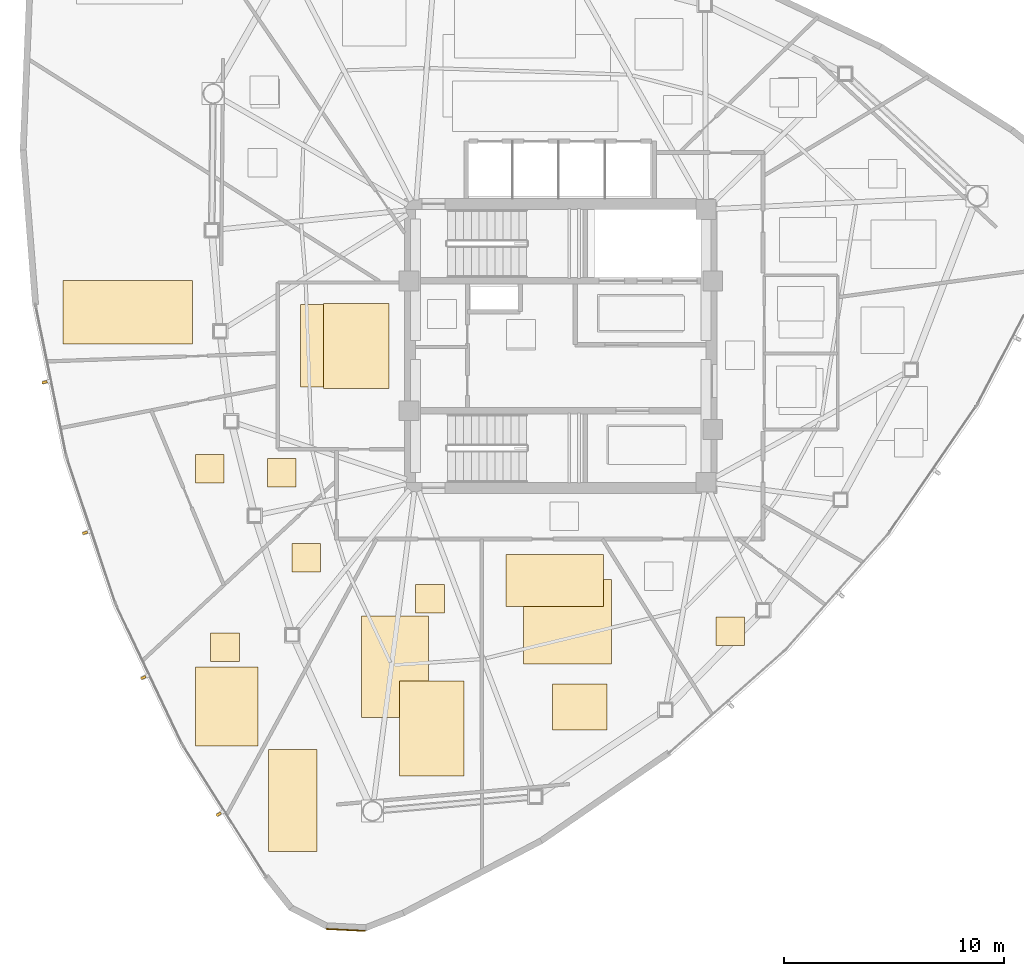
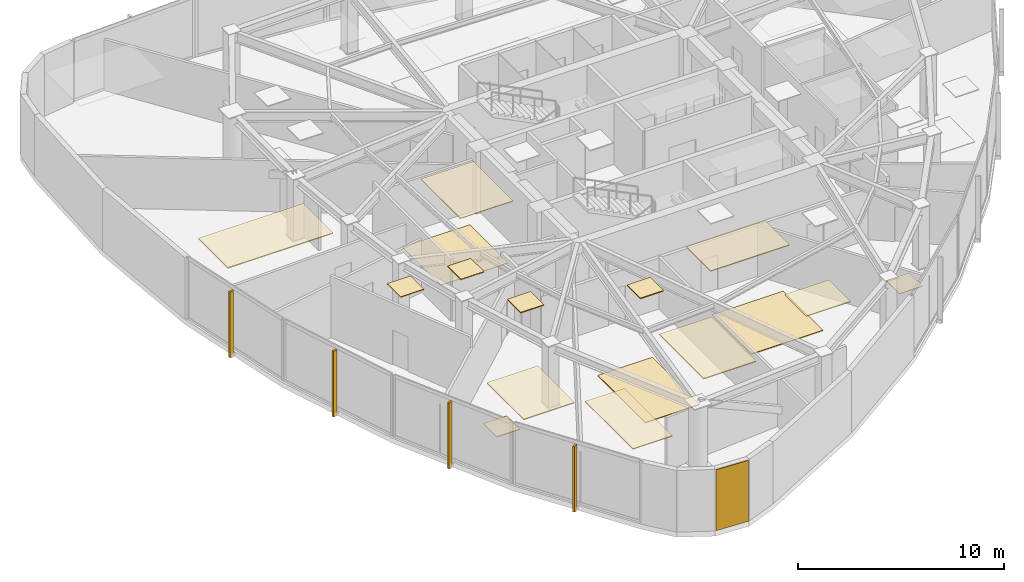
# One storey, part 13 of 15: 17 coverings, 4 shading devices.
"""IFC4 building model written with IfcOpenShell, lengths in metres."""

import ifcopenshell
import ifcopenshell.guid

model = None  # the IFC model being written
_history = None  # IfcOwnerHistory: only IFC2X3 demands one
_inside = {}  # id of a spatial element -> (the spatial element, [elements in it])
_under = {}  # id of a project, library or spatial element -> (it, [spatial elements below it])
_declared = {}  # id of a project -> (the project, [libraries it declares])
_typed = {}  # id of a type object -> (the type object, [elements of that type])
_made_of = {}  # id of a material, layer set ... -> (it, [elements and type objects made of it])


def new_model(schema):
    """Start an empty IFC model of exactly this schema.

    Asked for "IFC4X3", IfcOpenShell would pick the latest addendum, in which some entities
    have other attributes; the version numbers below select the first issue.
    IFC2X3 requires an IfcOwnerHistory on every rooted entity: one is made here for all.
    """
    global model, _history
    if schema == "IFC4X3":
        model = ifcopenshell.file(schema_version=(4, 3, 0, 0))
    else:
        model = ifcopenshell.file(schema=schema)
    _inside.clear()
    _under.clear()
    _declared.clear()
    _typed.clear()
    _made_of.clear()
    _history = None
    if model.schema == "IFC2X3":
        org = make("IfcOrganization", Name="unknown")
        user = make(
            "IfcPersonAndOrganization",
            ThePerson=make("IfcPerson", FamilyName="unknown"),
            TheOrganization=org,
        )
        app = make(
            "IfcApplication",
            ApplicationDeveloper=org,
            Version="unknown",
            ApplicationFullName="unknown",
            ApplicationIdentifier="unknown",
        )
        _history = make(
            "IfcOwnerHistory",
            OwningUser=user,
            OwningApplication=app,
            ChangeAction="ADDED",
            CreationDate=0,
        )
    return model


def make(cls, **values):
    """One entity of the class cls with the attributes given. An attribute that is None is left unset."""
    return model.create_entity(
        cls, **{name: value for name, value in values.items() if value is not None}
    )


def rooted(cls, **values):
    """An entity with a GlobalId (a new one), such as an element, a storey or a relation."""
    return make(cls, GlobalId=ifcopenshell.guid.new(), OwnerHistory=_history, **values)


def si_unit(unit_type, name, prefix=None):
    """IfcSIUnit, for example si_unit("LENGTHUNIT", "METRE", prefix="MILLI")."""
    return make("IfcSIUnit", UnitType=unit_type, Prefix=prefix, Name=name)


def assignment(units):
    """IfcUnitAssignment: the units of a project."""
    return None if units is None else make("IfcUnitAssignment", Units=units)


def point(xyz):
    """IfcCartesianPoint."""
    return None if xyz is None else make("IfcCartesianPoint", Coordinates=xyz)


def direction(xyz):
    """IfcDirection."""
    return None if xyz is None else make("IfcDirection", DirectionRatios=xyz)


def frame(location, z_axis=None, x_axis=None):
    """IfcAxis2Placement3D, a coordinate frame: its origin and axes. An axis left out is left unset."""
    return make(
        "IfcAxis2Placement3D",
        Location=point(location),
        Axis=direction(z_axis),
        RefDirection=direction(x_axis),
    )


def frame_2d(location, x_axis=None):
    """IfcAxis2Placement2D, a coordinate frame in the plane: its origin and x axis."""
    return make(
        "IfcAxis2Placement2D", Location=point(location), RefDirection=direction(x_axis)
    )


def origin():
    """The frame at (0, 0, 0) with its axes left unset."""
    return frame((0.0, 0.0, 0.0))


def origin_2d():
    """The frame at (0, 0) in the plane with its x axis left unset."""
    return frame_2d((0.0, 0.0))


def place(relative_to, where):
    """IfcLocalPlacement: puts the frame where relative to a parent placement (None: the world)."""
    return make(
        "IfcLocalPlacement", PlacementRelTo=relative_to, RelativePlacement=where
    )


def context(
    kind, dimensions, precision=None, world=None, true_north=None, identifier=None
):
    """IfcGeometricRepresentationContext, for example the 3D "Model" context."""
    return make(
        "IfcGeometricRepresentationContext",
        ContextIdentifier=identifier,
        ContextType=kind,
        CoordinateSpaceDimension=dimensions,
        Precision=precision,
        WorldCoordinateSystem=world,
        TrueNorth=true_north,
    )


def subcontext(parent, identifier, kind, view, scale=None):
    """IfcGeometricRepresentationSubContext, for example "Body" below "Model"."""
    return make(
        "IfcGeometricRepresentationSubContext",
        ContextIdentifier=identifier,
        ContextType=kind,
        ParentContext=parent,
        TargetScale=scale,
        TargetView=view,
    )


def project(units=None, contexts=None):
    """IfcProject with its units and contexts."""
    return rooted(
        "IfcProject",
        Name="project",
        RepresentationContexts=contexts,
        UnitsInContext=assignment(units),
    )


def spatial(cls, under=None, at=None, **own):
    """A site, building, storey or space (cls), placed at a placement, below another one or the project."""
    s = rooted(cls, ObjectPlacement=at, **own)
    if under is not None:
        _under.setdefault(under.id(), (under, []))[1].append(s)
    return s


def polyline(points):
    """IfcPolyline through the points."""
    return make("IfcPolyline", Points=[point(p) for p in points])


def profile(cls, at=None, kind="AREA", **sizes):
    """A parametric profile (cls). Its sizes go by their IFC names, for example OverallWidth=200.0."""
    return make(cls, ProfileType=kind, Position=at, **sizes)


def rectangle(**sizes):
    """IfcRectangleProfileDef."""
    return profile("IfcRectangleProfileDef", **sizes)


def outline(outer, holes=None, kind="AREA"):
    """IfcArbitraryClosedProfileDef: a profile drawn as a closed curve; with holes, ...WithVoids."""
    if holes is None:
        return make("IfcArbitraryClosedProfileDef", ProfileType=kind, OuterCurve=outer)
    return make(
        "IfcArbitraryProfileDefWithVoids",
        ProfileType=kind,
        OuterCurve=outer,
        InnerCurves=holes,
    )


def extrude(swept, where, along, depth):
    """IfcExtrudedAreaSolid: the profile swept, set in the frame where, extruded along a direction by depth."""
    return make(
        "IfcExtrudedAreaSolid",
        SweptArea=swept,
        Position=where,
        ExtrudedDirection=direction(along),
        Depth=depth,
    )


def shape(context_of_items, identifier, shape_type, items):
    """IfcShapeRepresentation: the items that make up one representation, for example the "Body"."""
    return make(
        "IfcShapeRepresentation",
        ContextOfItems=context_of_items,
        RepresentationIdentifier=identifier,
        RepresentationType=shape_type,
        Items=items,
    )


def source(mapping_origin, context_of_items, identifier, shape_type, items):
    """IfcRepresentationMap: a shape defined once, which mapped items show again and again."""
    return make(
        "IfcRepresentationMap",
        MappingOrigin=mapping_origin,
        MappedRepresentation=shape(context_of_items, identifier, shape_type, items),
    )


def transform(
    local_origin,
    x_axis=None,
    y_axis=None,
    z_axis=None,
    scale=None,
    scale2=None,
    scale3=None,
    uniform=True,
):
    """IfcCartesianTransformationOperator3D, or its non-uniform kind. x_axis, y_axis, z_axis: its Axis1, 2, 3."""
    if uniform:
        return make(
            "IfcCartesianTransformationOperator3D",
            Axis1=direction(x_axis),
            Axis2=direction(y_axis),
            LocalOrigin=point(local_origin),
            Scale=scale,
            Axis3=direction(z_axis),
        )
    return make(
        "IfcCartesianTransformationOperator3DnonUniform",
        Axis1=direction(x_axis),
        Axis2=direction(y_axis),
        LocalOrigin=point(local_origin),
        Scale=scale,
        Axis3=direction(z_axis),
        Scale2=scale2,
        Scale3=scale3,
    )


def mapped(mapping_source, mapping_target):
    """IfcMappedItem: shows the shape of a source again, moved by a transform."""
    return make(
        "IfcMappedItem", MappingSource=mapping_source, MappingTarget=mapping_target
    )


def material(Name=None, Category=None):
    """IfcMaterial."""
    return make("IfcMaterial", Name=Name, Category=Category)


def layer(
    of_material, thickness, ventilated=None, Name=None, Category=None, Priority=None
):
    """IfcMaterialLayer: one layer of a wall or slab, of a material (None: an air gap)."""
    return make(
        "IfcMaterialLayer",
        Material=of_material,
        LayerThickness=thickness,
        IsVentilated=ventilated,
        Name=Name,
        Category=Category,
        Priority=Priority,
    )


def layer_set(layers, Name=None):
    """IfcMaterialLayerSet."""
    return make("IfcMaterialLayerSet", MaterialLayers=layers, LayerSetName=Name)


def made_of(thing, what):
    """Note that an element or type object is made of a material, layer set ...; save() writes the relation."""
    if what is not None:
        _made_of.setdefault(what.id(), (what, []))[1].append(thing)
    return thing


def type_object(cls, material=None, **own):
    """A type object (cls), such as IfcWallType, which elements share."""
    return made_of(rooted(cls, **own), material)


def type_shapes(of_type, sources):
    """Give a type object the sources (RepresentationMaps) that its elements show as mapped items."""
    of_type.RepresentationMaps = sources


def element(
    cls,
    number,
    at=None,
    inside=None,
    cuts=None,
    type_object=None,
    material=None,
    context=None,
    identifier="Body",
    shape_type=None,
    held_by="IfcProductDefinitionShape",
    body=None,
    shapes=None,
    **own,
):
    """One element of the class cls, such as IfcWall. Its Tag is "e" and its number.

    at: its placement. inside: the storey or other place that contains it. cuts: it is an
    opening in that element (IfcRelVoidsElement). A single representation is given by context,
    identifier, shape_type and body (its items); several are given by shapes. held_by: the class
    of the entity that holds the representations. save() writes the other relations.
    """
    e = rooted(cls, Tag="e%d" % number, ObjectPlacement=at, **own)
    if body is not None:
        shapes = [shape(context, identifier, shape_type, body)]
    if shapes is not None:
        e.Representation = make(held_by, Representations=shapes)
    if inside is not None:
        _inside.setdefault(inside.id(), (inside, []))[1].append(e)
    if cuts is not None:
        rooted(
            "IfcRelVoidsElement", RelatingBuildingElement=cuts, RelatedOpeningElement=e
        )
    if type_object is not None:
        _typed.setdefault(type_object.id(), (type_object, []))[1].append(e)
    return made_of(e, material)


def aggregate(whole, parts):
    """IfcRelAggregates: a whole, such as a stair, and the parts it consists of."""
    return rooted("IfcRelAggregates", RelatingObject=whole, RelatedObjects=parts)


def save(model, path):
    """Write the relations noted so far, then the file.

    IfcRelAggregates (storeys below a building ...), IfcRelContainedInSpatialStructure (elements
    in a storey), IfcRelDefinesByType, IfcRelAssociatesMaterial and IfcRelDeclares: one each for
    every whole, place, type object, material and project.
    """
    for whole, parts in _under.values():
        aggregate(whole, parts)
    for where, things in _inside.values():
        rooted(
            "IfcRelContainedInSpatialStructure",
            RelatedElements=things,
            RelatingStructure=where,
        )
    for kind, things in _typed.values():
        rooted("IfcRelDefinesByType", RelatedObjects=things, RelatingType=kind)
    for what, things in _made_of.values():
        rooted("IfcRelAssociatesMaterial", RelatedObjects=things, RelatingMaterial=what)
    for by, libraries in _declared.values():
        rooted("IfcRelDeclares", RelatingContext=by, RelatedDefinitions=libraries)
    model.write(path)


model = new_model("IFC4")

# Units and contexts
model_context = context("Model", 3, precision=1e-05, world=origin(), true_north=direction((0.0, 1.0)))
body_context = subcontext(model_context, "Body", "Model", "MODEL_VIEW")
ifc_project = project(units=[si_unit("LENGTHUNIT", "METRE"), si_unit("AREAUNIT", "SQUARE_METRE"), si_unit("VOLUMEUNIT", "CUBIC_METRE"), si_unit("PLANEANGLEUNIT", "RADIAN"), si_unit("MASSUNIT", "GRAM", prefix="KILO")], contexts=[model_context])

# Site, building, storey
site_placement = place(None, origin())
site = spatial("IfcSite", under=ifc_project, at=site_placement, CompositionType="ELEMENT")
building_placement = place(site_placement, origin())
building = spatial("IfcBuilding", under=site, at=building_placement, Name="Tavelor Broadcast Tower", CompositionType="ELEMENT")
storey_placement = place(building_placement, frame((0.0, 0.0, 230.050048828125)))
storey = spatial("IfcBuildingStorey", under=building, at=storey_placement, Name="L54", CompositionType="ELEMENT", Elevation=230.050048828125)

# Coverings
ifc_material_1 = material(Name="Copper-Bronze Anodized Aluminium", Category="aluminium")
ifc_layer_1 = layer(ifc_material_1, 0.050048828125)
ifc_layer_set_1 = layer_set([ifc_layer_1], Name="Copper-Bronze Anodized Aluminium")
covering_type_1 = type_object("IfcCoveringType", Name="Champagne-Bronze Corner Pier Metal Cladding 50 mm", PredefinedType="CLADDING", material=ifc_layer_set_1)
covering_1_placement = place(storey_placement, frame((40.2294921875, 18.456298828125, 0.02001953125), z_axis=(0.0, 0.0, 1.0), x_axis=(0.998763127564, -0.049721373869, 0.0)))
element("IfcCovering", 1, at=covering_1_placement, inside=storey, type_object=covering_type_1, Name="L54 Champagne-Bronze Corner Cladding 13", PredefinedType="CLADDING", context=body_context, shape_type="SweptSolid", body=[
    extrude(rectangle(XDim=1.761474609375, YDim=0.050048828125, at=origin_2d()), origin(), (0.0, 0.0, 1.0), 3.610107421875),
])
ifc_material_2 = material(Name="Acoustic Nylon Carpet Tile")
ifc_layer_2 = layer(ifc_material_2, 0.02001953125)
ifc_layer_set_2 = layer_set([ifc_layer_2], Name="Acoustic Nylon Carpet Tile")
covering_type_2 = type_object("IfcCoveringType", Name="Heavy-Duty Acoustic Broadcast Carpet Tile 20 mm", PredefinedType="FLOORING", material=ifc_layer_set_2)
covering_2_placement = place(storey_placement, origin())
element("IfcCovering", 2, at=covering_2_placement, inside=storey, type_object=covering_type_2, Name="L54 Broadcast Floor Finish 0790", PredefinedType="FLOORING", context=body_context, shape_type="SweptSolid", body=[
    extrude(outline(polyline([(38.15771484375, 43.12890625), (41.942138671875, 43.12890625), (41.942138671875, 46.87060546875), (38.15771484375, 46.87060546875), (38.15771484375, 43.12890625)])), origin(), (0.0, 0.0, 1.0), 0.02001953125),
])
ifc_material_3 = material(Name="Acoustic Hardwood Studio Flooring", Category="wood")
ifc_layer_3 = layer(ifc_material_3, 0.034912109375)
ifc_layer_set_3 = layer_set([ifc_layer_3], Name="Acoustic Hardwood Studio Flooring")
covering_type_3 = type_object("IfcCoveringType", Name="Isolated Studio Acoustic Elastomeric Floor Finish 35 mm", PredefinedType="FLOORING", material=ifc_layer_set_3)
covering_3_placement = place(storey_placement, origin())
element("IfcCovering", 3, at=covering_3_placement, inside=storey, type_object=covering_type_3, Name="L54 Broadcast Floor Finish 0793", PredefinedType="FLOORING", context=body_context, shape_type="SweptSolid", body=[
    extrude(outline(polyline([(57.051025390625, 31.37255859375), (58.35107421875, 31.37255859375), (58.35107421875, 32.672607421875), (57.051025390625, 32.672607421875), (57.051025390625, 31.37255859375)])), origin(), (0.0, 0.0, 1.0), 0.034912109375),
])
covering_4_placement = place(storey_placement, origin())
element("IfcCovering", 4, at=covering_4_placement, inside=storey, type_object=covering_type_3, Name="L54 Broadcast Floor Finish 0794", PredefinedType="FLOORING", context=body_context, shape_type="SweptSolid", body=[
    extrude(outline(polyline([(48.294189453125, 30.550537109375), (52.29296875, 30.550537109375), (52.29296875, 34.385986328125), (48.294189453125, 34.385986328125), (48.294189453125, 30.550537109375)])), origin(), (0.0, 0.0, 1.0), 0.034912109375),
])
covering_5_placement = place(storey_placement, origin())
element("IfcCovering", 5, at=covering_5_placement, inside=storey, type_object=covering_type_3, Name="L54 Broadcast Floor Finish 0795", PredefinedType="FLOORING", context=body_context, shape_type="SweptSolid", body=[
    extrude(outline(polyline([(40.93408203125, 28.10791015625), (43.988037109375, 28.10791015625), (43.988037109375, 32.713134765625), (40.93408203125, 32.713134765625), (40.93408203125, 28.10791015625)])), origin(), (0.0, 0.0, 1.0), 0.034912109375),
])
covering_6_placement = place(storey_placement, origin())
element("IfcCovering", 6, at=covering_6_placement, inside=storey, type_object=covering_type_3, Name="L54 Broadcast Floor Finish 0796", PredefinedType="FLOORING", context=body_context, shape_type="SweptSolid", body=[
    extrude(outline(polyline([(34.09033203125, 30.656982421875), (35.390380859375, 30.656982421875), (35.390380859375, 31.956787109375), (34.09033203125, 31.956787109375), (34.09033203125, 30.656982421875)])), origin(), (0.0, 0.0, 1.0), 0.034912109375),
])
ifc_material_4 = material(Name="Acoustic Perforated Timber Baffle", Category="wood")
ifc_layer_4 = layer(ifc_material_4, 0.054931640625)
ifc_layer_set_4 = layer_set([ifc_layer_4], Name="Acoustic Perforated Timber Baffle")
covering_type_4 = type_object("IfcCoveringType", Name="Micro-Perforated Acoustic Baffle Studio Ceiling 55 mm", PredefinedType="CEILING", material=ifc_layer_set_4)
covering_7_placement = place(storey_placement, frame((0.0, 0.0, 3.594970703125)))
element("IfcCovering", 7, at=covering_7_placement, inside=storey, type_object=covering_type_4, Name="L54 Suspended Acoustic Ceiling 2143", PredefinedType="CEILING", context=body_context, shape_type="SweptSolid", body=[
    extrude(outline(polyline([(49.621337890625, 27.534423828125), (52.103271484375, 27.534423828125), (52.103271484375, 29.63330078125), (49.621337890625, 29.63330078125), (49.621337890625, 27.534423828125)])), origin(), (0.0, 0.0, 1.0), 0.054931640625),
])
covering_8_placement = place(storey_placement, frame((0.0, 0.0, 3.594970703125)))
element("IfcCovering", 8, at=covering_8_placement, inside=storey, type_object=covering_type_4, Name="L54 Suspended Acoustic Ceiling 2144", PredefinedType="CEILING", context=body_context, shape_type="SweptSolid", body=[
    extrude(outline(polyline([(47.50390625, 33.15478515625), (51.9296875, 33.15478515625), (51.9296875, 35.51416015625), (47.50390625, 35.51416015625), (47.50390625, 33.15478515625)])), origin(), (0.0, 0.0, 1.0), 0.054931640625),
])
covering_9_placement = place(storey_placement, frame((0.0, 0.0, 3.594970703125)))
element("IfcCovering", 9, at=covering_9_placement, inside=storey, type_object=covering_type_4, Name="L54 Suspended Acoustic Ceiling 2145", PredefinedType="CEILING", context=body_context, shape_type="SweptSolid", body=[
    extrude(outline(polyline([(36.724365234375, 22.013671875), (38.9296875, 22.013671875), (38.9296875, 26.647705078125), (36.724365234375, 26.647705078125), (36.724365234375, 22.013671875)])), origin(), (0.0, 0.0, 1.0), 0.054931640625),
])
covering_10_placement = place(storey_placement, frame((0.0, 0.0, 3.594970703125)))
element("IfcCovering", 10, at=covering_10_placement, inside=storey, type_object=covering_type_4, Name="L54 Suspended Acoustic Ceiling 2146", PredefinedType="CEILING", context=body_context, shape_type="SweptSolid", body=[
    extrude(outline(polyline([(43.405517578125, 32.857421875), (44.70556640625, 32.857421875), (44.70556640625, 34.157470703125), (43.405517578125, 34.157470703125), (43.405517578125, 32.857421875)])), origin(), (0.0, 0.0, 1.0), 0.054931640625),
])
covering_11_placement = place(storey_placement, frame((0.0, 0.0, 3.594970703125)))
element("IfcCovering", 11, at=covering_11_placement, inside=storey, type_object=covering_type_4, Name="L54 Suspended Acoustic Ceiling 2147", PredefinedType="CEILING", context=body_context, shape_type="SweptSolid", body=[
    extrude(outline(polyline([(42.672607421875, 25.443603515625), (45.606201171875, 25.443603515625), (45.606201171875, 29.771484375), (42.672607421875, 29.771484375), (42.672607421875, 25.443603515625)])), origin(), (0.0, 0.0, 1.0), 0.054931640625),
])
covering_12_placement = place(storey_placement, frame((0.0, 0.0, 3.594970703125)))
element("IfcCovering", 12, at=covering_12_placement, inside=storey, type_object=covering_type_4, Name="L54 Suspended Acoustic Ceiling 2148", PredefinedType="CEILING", context=body_context, shape_type="SweptSolid", body=[
    extrude(outline(polyline([(37.779541015625, 34.71630859375), (39.07958984375, 34.71630859375), (39.07958984375, 36.016357421875), (37.779541015625, 36.016357421875), (37.779541015625, 34.71630859375)])), origin(), (0.0, 0.0, 1.0), 0.054931640625),
])
covering_13_placement = place(storey_placement, frame((0.0, 0.0, 3.594970703125)))
element("IfcCovering", 13, at=covering_13_placement, inside=storey, type_object=covering_type_4, Name="L54 Suspended Acoustic Ceiling 2149", PredefinedType="CEILING", context=body_context, shape_type="SweptSolid", body=[
    extrude(outline(polyline([(33.38671875, 26.8251953125), (36.2412109375, 26.8251953125), (36.2412109375, 30.402587890625), (33.38671875, 30.402587890625), (33.38671875, 26.8251953125)])), origin(), (0.0, 0.0, 1.0), 0.054931640625),
])
covering_14_placement = place(storey_placement, frame((0.0, 0.0, 3.594970703125)))
element("IfcCovering", 14, at=covering_14_placement, inside=storey, type_object=covering_type_4, Name="L54 Suspended Acoustic Ceiling 2150", PredefinedType="CEILING", context=body_context, shape_type="SweptSolid", body=[
    extrude(outline(polyline([(27.370849609375, 45.09326171875), (33.26220703125, 45.09326171875), (33.26220703125, 47.972900390625), (27.370849609375, 47.972900390625), (27.370849609375, 45.09326171875)])), origin(), (0.0, 0.0, 1.0), 0.054931640625),
])
ifc_material_5 = material(Name="Acoustic Mineral Fibre Tile")
ifc_layer_5 = layer(ifc_material_5, 0.0400390625)
ifc_layer_set_5 = layer_set([ifc_layer_5], Name="Acoustic Mineral Fibre Tile")
covering_type_5 = type_object("IfcCoveringType", Name="Suspended Acoustic Mineral-Fibre Office Ceiling 40 mm", PredefinedType="CEILING", material=ifc_layer_set_5)
covering_15_placement = place(storey_placement, frame((0.0, 0.0, 3.60986328125)))
element("IfcCovering", 15, at=covering_15_placement, inside=storey, type_object=covering_type_5, Name="L54 Suspended Acoustic Ceiling 2139", PredefinedType="CEILING", context=body_context, shape_type="SweptSolid", body=[
    extrude(outline(polyline([(39.2216796875, 43.0712890625), (42.182373046875, 43.0712890625), (42.182373046875, 46.927978515625), (39.2216796875, 46.927978515625), (39.2216796875, 43.0712890625)])), origin(), (0.0, 0.0, 1.0), 0.0400390625),
])
covering_16_placement = place(storey_placement, frame((0.0, 0.0, 3.60986328125)))
element("IfcCovering", 16, at=covering_16_placement, inside=storey, type_object=covering_type_5, Name="L54 Suspended Acoustic Ceiling 2166", PredefinedType="CEILING", context=body_context, shape_type="SweptSolid", body=[
    extrude(outline(polyline([(36.66455078125, 38.58984375), (37.964599609375, 38.58984375), (37.964599609375, 39.889892578125), (36.66455078125, 39.889892578125), (36.66455078125, 38.58984375)])), origin(), (0.0, 0.0, 1.0), 0.0400390625),
])
covering_17_placement = place(storey_placement, frame((0.0, 0.0, 3.60986328125)))
element("IfcCovering", 17, at=covering_17_placement, inside=storey, type_object=covering_type_5, Name="L54 Suspended Acoustic Ceiling 2167", PredefinedType="CEILING", context=body_context, shape_type="SweptSolid", body=[
    extrude(outline(polyline([(33.38818359375, 38.77099609375), (34.68798828125, 38.77099609375), (34.68798828125, 40.071044921875), (33.38818359375, 40.071044921875), (33.38818359375, 38.77099609375)])), origin(), (0.0, 0.0, 1.0), 0.0400390625),
])

# Shading devices
ifc_material_6 = material(Name="Kiln-Fired Glazed Terracotta", Category="masonry")
shading_device_type = type_object("IfcShadingDeviceType", Name="Extruded Terracotta Baguette Sun-Screen 110x240", PredefinedType="JALOUSIE", material=ifc_material_6)
shared_shape = source(origin(), body_context, "Body", "SweptSolid", [
    extrude(rectangle(XDim=0.110107421875, YDim=0.239990234375, at=origin_2d()), origin(), (0.0, 0.0, 1.0), 3.889892578125),
])
type_shapes(shading_device_type, [shared_shape])
for number, where, z_axis, x_axis, name in (
    (18, (26.538330078125, 43.348876953125, -0.259765625), (0.0, 0.0, 1.0), (0.199709980514, -0.979855052384, 0.0), "L54 Terracotta Baguette Fin 553"),
    (19, (28.37353515625, 36.4990234375, -0.259765625), (0.0, 0.0, 1.0), (0.316973609677, -0.948434357648, 0.0), "L54 Terracotta Baguette Fin 554"),
    (20, (31.0244140625, 29.921875, -0.259765625), (0.0, 0.0, 1.0), (0.429408059837, -0.903110579136, 0.0), "L54 Terracotta Baguette Fin 555"),
    (21, (34.45166015625, 23.713623046875, -0.259765625), (0.0, 0.0, 1.0), (0.535532036295, -0.844514912895, 0.0), "L54 Terracotta Baguette Fin 556"),
):
    element("IfcShadingDevice", number, at=place(storey_placement, frame(where, z_axis=z_axis, x_axis=x_axis)), inside=storey, type_object=shading_device_type, Name=name, PredefinedType="JALOUSIE", context=body_context, shape_type="MappedRepresentation", body=[
        mapped(shared_shape, transform((0.0, 0.0, 0.0), scale=1.0)),
    ])

save(model, "model.ifc")
